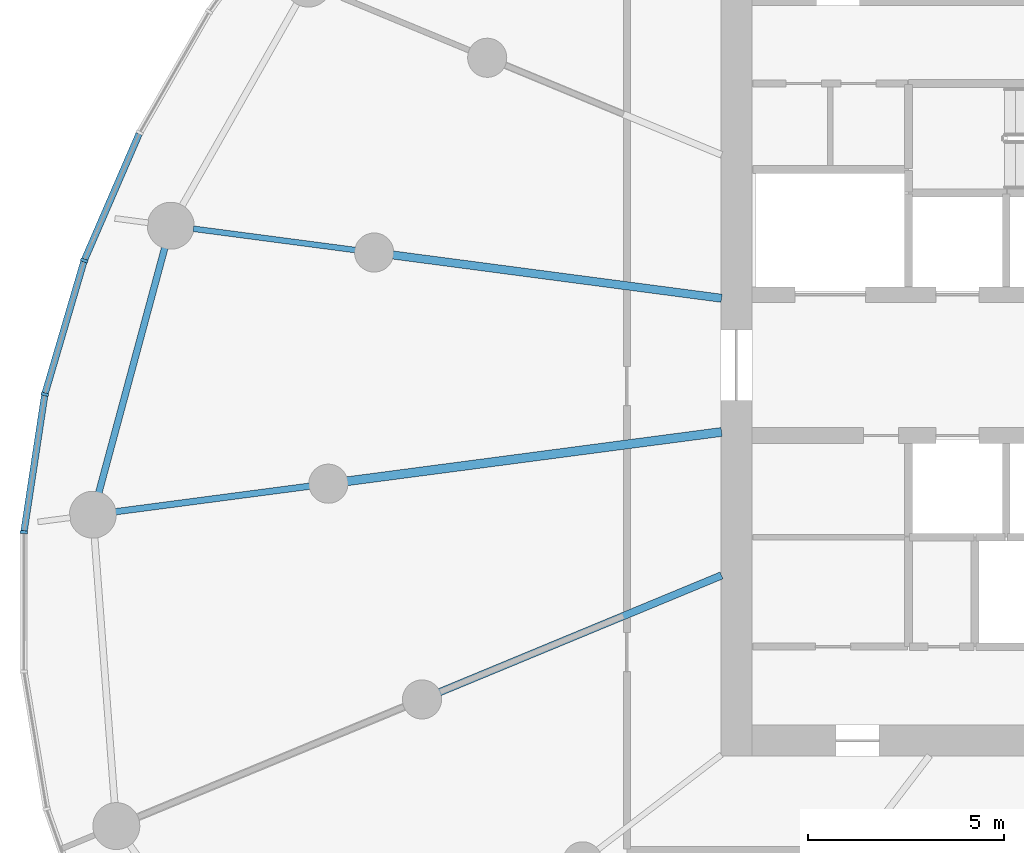
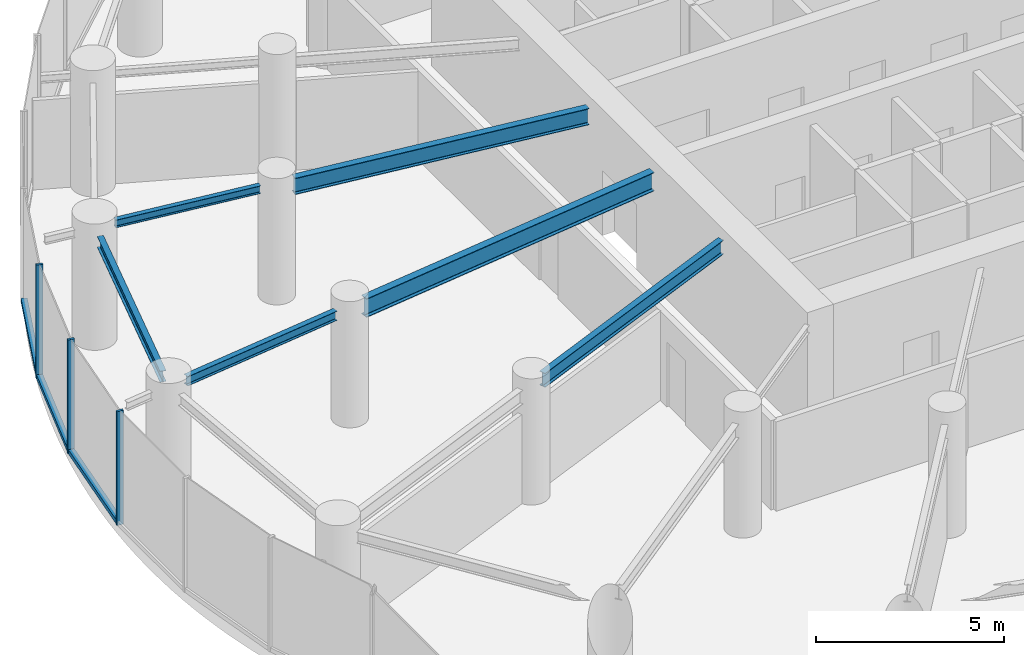
# One storey, part 3 of 17: 6 beams, 6 members, 1 element without a shape of its own.
"""IFC4 building model written with IfcOpenShell, lengths in metres."""

from ifc_helpers import new_model, si_unit, direction, frame, origin, origin_2d, place, context, subcontext, project, spatial, rectangle, i_section, extrude, source, transform, mapped, material, layer, layer_set, material_profile, profile_set, type_object, element, aggregate, save


model = new_model("IFC4")

# Units and contexts
model_context = context("Model", 3, precision=1e-05, world=origin(), true_north=direction((0.0, 1.0)))
body_context = subcontext(model_context, "Body", "Model", "MODEL_VIEW")
ifc_project = project(units=[si_unit("LENGTHUNIT", "METRE"), si_unit("AREAUNIT", "SQUARE_METRE"), si_unit("VOLUMEUNIT", "CUBIC_METRE"), si_unit("PLANEANGLEUNIT", "RADIAN"), si_unit("MASSUNIT", "GRAM", prefix="KILO")], contexts=[model_context])

# Site, building, storey
site_placement = place(None, origin())
site = spatial("IfcSite", under=ifc_project, at=site_placement, CompositionType="ELEMENT")
building_placement = place(site_placement, origin())
building = spatial("IfcBuilding", under=site, at=building_placement, Name="Spindrift Exchange Tower", CompositionType="ELEMENT")
storey_placement = place(building_placement, frame((0.0, 0.0, 120.800048828125)))
storey = spatial("IfcBuildingStorey", under=building, at=storey_placement, Name="L28", CompositionType="ELEMENT", Elevation=120.800048828125)

# Beams
ifc_material_1 = material(Name="Steel Grade 300", Category="steel")
ifc_material_profile_1 = material_profile(ifc_material_1, i_section(OverallWidth=0.22802734375, OverallDepth=0.60693359375, WebThickness=0.01123046875, FlangeThickness=0.017333984375, FilletRadius=0.013916015625, at=origin_2d()), Name="610UB113")
ifc_profile_set_1 = profile_set([ifc_material_profile_1], Name="Steel Grade 300")
beam_type_1 = type_object("IfcBeamType", Name="Floor Beam 610UB113 Steel Grade 300", PredefinedType="BEAM", material=ifc_profile_set_1)
shared_shape_1 = source(origin(), body_context, "Body", "SweptSolid", [
    extrude(i_section(OverallWidth=0.22802734375, OverallDepth=0.60693359375, WebThickness=0.01123046875, FlangeThickness=0.017333984375, FilletRadius=0.013916015625, at=origin_2d()), origin(), (0.0, 0.0, 1.0), 9.660400390625),
])
beam_1_placement = place(storey_placement, frame((39.019775390625, 46.291015625, 3.396484375), z_axis=(-0.99144767089, -0.130504850054, 0.0), x_axis=(0.130504850054, -0.99144767089, 0.0)))
element("IfcBeam", 1, at=beam_1_placement, inside=storey, type_object=beam_type_1, Name="L28 radial beam R13A", PredefinedType="BEAM", context=body_context, shape_type="MappedRepresentation", body=[
    mapped(shared_shape_1, transform((0.0, 0.0, 0.0), scale=1.0)),
])
ifc_material_profile_2 = material_profile(ifc_material_1, i_section(OverallWidth=0.18994140625, OverallDepth=0.45703125, WebThickness=0.009033203125, FlangeThickness=0.014404296875, FilletRadius=0.013916015625, at=origin_2d()), Name="460UB74.6")
ifc_profile_set_2 = profile_set([ifc_material_profile_2], Name="Steel Grade 300")
beam_type_2 = type_object("IfcBeamType", Name="Floor Beam 460UB74.6 Steel Grade 300", PredefinedType="BEAM", material=ifc_profile_set_2)
shared_shape_2 = source(origin(), body_context, "Body", "SweptSolid", [
    extrude(i_section(OverallWidth=0.18994140625, OverallDepth=0.45703125, WebThickness=0.009033203125, FlangeThickness=0.014404296875, FilletRadius=0.013916015625, at=origin_2d()), origin(), (0.0, 0.0, 1.0), 7.808837890625),
])
beam_2_placement = place(storey_placement, frame((39.0185546875, 42.622802734375, 3.471435546875), z_axis=(-0.92387965154, -0.382683145003, 0.0), x_axis=(0.382683145003, -0.92387965154, 0.0)))
element("IfcBeam", 2, at=beam_2_placement, inside=storey, type_object=beam_type_2, Name="L28 radial beam R14A", PredefinedType="BEAM", context=body_context, shape_type="MappedRepresentation", body=[
    mapped(shared_shape_2, transform((0.0, 0.0, 0.0), scale=1.0)),
])
ifc_material_profile_3 = material_profile(ifc_material_1, i_section(OverallWidth=0.208984375, OverallDepth=0.532958984375, WebThickness=0.01025390625, FlangeThickness=0.015625, FilletRadius=0.013916015625, at=origin_2d()), Name="530UB92.4")
ifc_profile_set_3 = profile_set([ifc_material_profile_3], Name="Steel Grade 300")
beam_type_3 = type_object("IfcBeamType", Name="Floor Beam 530UB92.4 Steel Grade 300", PredefinedType="BEAM", material=ifc_profile_set_3)
shared_shape_3 = source(origin(), body_context, "Body", "SweptSolid", [
    extrude(i_section(OverallWidth=0.208984375, OverallDepth=0.532958984375, WebThickness=0.01025390625, FlangeThickness=0.015625, FilletRadius=0.013916015625, at=origin_2d()), origin(), (0.0, 0.0, 1.0), 8.4794921875),
])
beam_3_placement = place(storey_placement, frame((39.019775390625, 49.708984375, 3.433349609375), z_axis=(-0.991446551951, 0.13051335037, 0.0), x_axis=(-0.13051335037, -0.991446551951, 0.0)))
element("IfcBeam", 3, at=beam_3_placement, inside=storey, type_object=beam_type_3, Name="L28 radial beam R12A", PredefinedType="BEAM", context=body_context, shape_type="MappedRepresentation", body=[
    mapped(shared_shape_3, transform((0.0, 0.0, 0.0), scale=1.0)),
])
ifc_material_profile_4 = material_profile(ifc_material_1, i_section(OverallWidth=0.1650390625, OverallDepth=0.303955078125, WebThickness=0.006103515625, FlangeThickness=0.01025390625, FilletRadius=0.011474609375, at=origin_2d()), Name="310UB40.4")
ifc_profile_set_4 = profile_set([ifc_material_profile_4], Name="Steel Grade 300")
beam_type_4 = type_object("IfcBeamType", Name="Floor Beam 310UB40.4 Steel Grade 300", PredefinedType="BEAM", material=ifc_profile_set_4)
shared_shape_4 = source(origin(), body_context, "Body", "SweptSolid", [
    extrude(i_section(OverallWidth=0.1650390625, OverallDepth=0.303955078125, WebThickness=0.006103515625, FlangeThickness=0.01025390625, FilletRadius=0.011474609375, at=origin_2d()), origin(), (0.0, 0.0, 1.0), 5.014404296875),
])
beam_4_placement = place(storey_placement, frame((28.490234375, 44.90478515625, 3.5478515625), z_axis=(-0.99145015202, -0.13048599948, 0.0), x_axis=(0.13048599948, -0.99145015202, 0.0)))
element("IfcBeam", 4, at=beam_4_placement, inside=storey, type_object=beam_type_4, Name="L28 radial beam R13B", PredefinedType="BEAM", context=body_context, shape_type="MappedRepresentation", body=[
    mapped(shared_shape_4, transform((0.0, 0.0, 0.0), scale=1.0)),
])
ifc_material_profile_5 = material_profile(ifc_material_1, i_section(OverallWidth=0.14599609375, OverallDepth=0.251953125, WebThickness=0.006103515625, FlangeThickness=0.008544921875, FilletRadius=0.011962890625, at=origin_2d()), Name="250UB31.4")
ifc_profile_set_5 = profile_set([ifc_material_profile_5], Name="Steel Grade 300")
beam_type_5 = type_object("IfcBeamType", Name="Floor Beam 250UB31.4 Steel Grade 300", PredefinedType="BEAM", material=ifc_profile_set_5)
shared_shape_5 = source(origin(), body_context, "Body", "SweptSolid", [
    extrude(i_section(OverallWidth=0.14599609375, OverallDepth=0.251953125, WebThickness=0.006103515625, FlangeThickness=0.008544921875, FilletRadius=0.011962890625, at=origin_2d()), origin(), (0.0, 0.0, 1.0), 4.186279296875),
])
beam_5_placement = place(storey_placement, frame((29.660888671875, 50.94091796875, 3.573974609375), z_axis=(-0.991445559167, 0.130520891848, 0.0), x_axis=(-0.130520891848, -0.991445559167, 0.0)))
element("IfcBeam", 5, at=beam_5_placement, inside=storey, type_object=beam_type_5, Name="L28 radial beam R12B", PredefinedType="BEAM", context=body_context, shape_type="MappedRepresentation", body=[
    mapped(shared_shape_5, transform((0.0, 0.0, 0.0), scale=1.0)),
])
ifc_material_profile_6 = material_profile(ifc_material_1, i_section(OverallWidth=0.172119140625, OverallDepth=0.35888671875, WebThickness=0.008056640625, FlangeThickness=0.012939453125, FilletRadius=0.013916015625, at=origin_2d()), Name="360UB56.7")
ifc_profile_set_6 = profile_set([ifc_material_profile_6], Name="Steel Grade 300")
beam_type_6 = type_object("IfcBeamType", Name="Edge Beam 360UB56.7 Steel Grade 300", PredefinedType="SPANDREL", material=ifc_profile_set_6)
shared_shape_6 = source(origin(), body_context, "Body", "SweptSolid", [
    extrude(i_section(OverallWidth=0.172119140625, OverallDepth=0.35888671875, WebThickness=0.008056640625, FlangeThickness=0.012939453125, FilletRadius=0.013916015625, at=origin_2d()), origin(), (0.0, 0.0, 1.0), 6.4921875),
])
beam_6_placement = place(storey_placement, frame((24.784423828125, 51.003173828125, 3.5205078125), z_axis=(-0.260262058381, -0.965538016324, 0.0), x_axis=(0.965538016324, -0.260262058381, 0.0)))
element("IfcBeam", 6, at=beam_6_placement, inside=storey, type_object=beam_type_6, Name="L28 edge beam E12", PredefinedType="SPANDREL", context=body_context, shape_type="MappedRepresentation", body=[
    mapped(shared_shape_6, transform((0.0, 0.0, 0.0), scale=1.0)),
])

# Curtain wall, members
ifc_material_2 = material(Name="Fritted laminated glass with bronze frame", Category="glass")
ifc_layer = layer(ifc_material_2, 0.18994140625)
ifc_layer_set = layer_set([ifc_layer], Name="ZONE 2 BRONZE FRITTED WALL")
curtain_wall_type = type_object("IfcCurtainWallType", Name="ZONE 2 BRONZE FRITTED WALL", PredefinedType="NOTDEFINED", material=ifc_layer_set)
curtain_wall_placement = place(storey_placement, origin())
curtain_wall = element("IfcCurtainWall", 7, at=curtain_wall_placement, inside=storey, type_object=curtain_wall_type, Name="L28 Zone 2 Bronze Fritted Wall run 4", PredefinedType="NOTDEFINED")
ifc_material_3 = material(Name="Bronze anodised aluminium", Category="aluminium")
ifc_material_profile_7 = material_profile(ifc_material_3, rectangle(XDim=0.074951171875, YDim=0.18994140625, at=origin_2d()), Name="ZONE 2 BRONZE FRITTED WALL MULLION 75X190")
ifc_profile_set_7 = profile_set([ifc_material_profile_7], Name="Bronze anodised aluminium")
member_type_1 = type_object("IfcMemberType", Name="ZONE 2 BRONZE FRITTED WALL MULLION 75X190", PredefinedType="MULLION", material=ifc_profile_set_7)
shared_shape_7 = source(origin(), body_context, "Body", "SweptSolid", [
    extrude(rectangle(XDim=0.074951171875, YDim=0.18994140625, at=origin_2d()), origin(), (0.0, 0.0, 1.0), 3.699951171875),
])
member_1_placement = place(storey_placement, frame((22.721923828125, 50.673583984375, 0.0), z_axis=(0.0, 0.0, 1.0), x_axis=(-0.340615334764, -0.940202740755, 0.0)))
member_1 = element("IfcMember", 8, at=member_1_placement, type_object=member_type_1, Name="L28 mullion CW-2.21", PredefinedType="MULLION", context=body_context, shape_type="MappedRepresentation", body=[
    mapped(shared_shape_7, transform((0.0, 0.0, 0.0), scale=1.0)),
])
member_2_placement = place(storey_placement, frame((21.715576171875, 47.25341796875, 0.0), z_axis=(0.0, 0.0, 1.0), x_axis=(-0.216607917501, -0.976258679898, 0.0)))
member_2 = element("IfcMember", 9, at=member_2_placement, type_object=member_type_1, Name="L28 mullion CW-2.22", PredefinedType="MULLION", context=body_context, shape_type="MappedRepresentation", body=[
    mapped(shared_shape_7, transform((0.0, 0.0, 0.0), scale=1.0)),
])
member_3_placement = place(storey_placement, frame((21.180908203125, 43.72900390625, 0.0), z_axis=(0.0, 0.0, 1.0), x_axis=(-0.075477809955, -0.997147481672, 0.0)))
member_3 = element("IfcMember", 10, at=member_3_placement, type_object=member_type_1, Name="L28 mullion CW-2.23", PredefinedType="MULLION", context=body_context, shape_type="MappedRepresentation", body=[
    mapped(shared_shape_7, transform((0.0, 0.0, 0.0), scale=1.0)),
])
ifc_material_profile_8 = material_profile(ifc_material_3, rectangle(XDim=0.169921875, YDim=0.139892578125, at=origin_2d()), Name="ZONE 2 BRONZE FRITTED WALL TRANSOM 170X140")
ifc_profile_set_8 = profile_set([ifc_material_profile_8], Name="Bronze anodised aluminium")
member_type_2 = type_object("IfcMemberType", Name="ZONE 2 BRONZE FRITTED WALL TRANSOM 170X140", PredefinedType="USERDEFINED", material=ifc_profile_set_8)
shared_shape_8 = source(origin(), body_context, "Body", "SweptSolid", [
    extrude(rectangle(XDim=0.169921875, YDim=0.139892578125, at=origin_2d()), origin(), (0.0, 0.0, 1.0), 3.490478515625),
])
member_4_placement = place(storey_placement, frame((22.71142578125, 50.6376953125, 0.070068359375), z_axis=(-0.282306437915, -0.959324280477, 0.0), x_axis=(0.959324280477, -0.282306437915, 0.0)))
member_4 = element("IfcMember", 11, at=member_4_placement, type_object=member_type_2, Name="L28 transom CW-2.21", ObjectType="TRANSOM", PredefinedType="USERDEFINED", context=body_context, shape_type="MappedRepresentation", body=[
    mapped(shared_shape_8, transform((0.0, 0.0, 0.0), scale=1.0)),
])
shared_shape_9 = source(origin(), body_context, "Body", "SweptSolid", [
    extrude(rectangle(XDim=0.169921875, YDim=0.139892578125, at=origin_2d()), origin(), (0.0, 0.0, 1.0), 3.49072265625),
])
member_5_placement = place(storey_placement, frame((24.125, 53.910888671875, 0.070068359375), z_axis=(-0.397672206938, -0.917527555896, 0.0), x_axis=(0.917527555896, -0.397672206938, 0.0)))
member_5 = element("IfcMember", 12, at=member_5_placement, type_object=member_type_2, Name="L28 transom CW-2.20", ObjectType="TRANSOM", PredefinedType="USERDEFINED", context=body_context, shape_type="MappedRepresentation", body=[
    mapped(shared_shape_9, transform((0.0, 0.0, 0.0), scale=1.0)),
])
shared_shape_10 = source(origin(), body_context, "Body", "SweptSolid", [
    extrude(rectangle(XDim=0.169921875, YDim=0.139892578125, at=origin_2d()), origin(), (0.0, 0.0, 1.0), 3.489990234375),
])
member_6_placement = place(storey_placement, frame((21.7099609375, 47.21630859375, 0.070068359375), z_axis=(-0.149985667495, -0.988688171036, 0.0), x_axis=(0.988688171036, -0.149985667495, 0.0)))
member_6 = element("IfcMember", 13, at=member_6_placement, type_object=member_type_2, Name="L28 transom CW-2.22", ObjectType="TRANSOM", PredefinedType="USERDEFINED", context=body_context, shape_type="MappedRepresentation", body=[
    mapped(shared_shape_10, transform((0.0, 0.0, 0.0), scale=1.0)),
])
aggregate(curtain_wall, [member_5, member_1, member_4, member_2, member_6, member_3])

save(model, "model.ifc")
